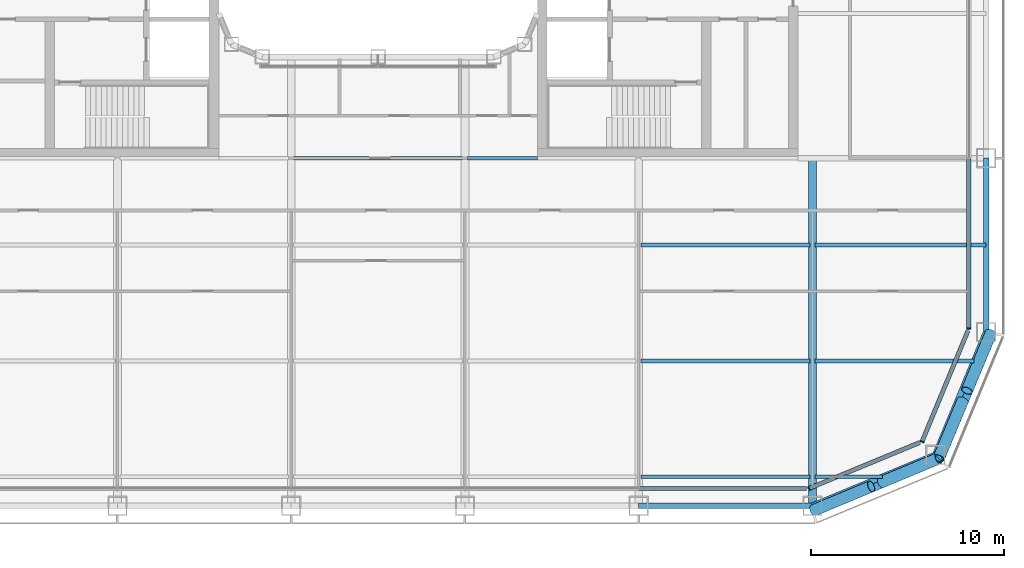
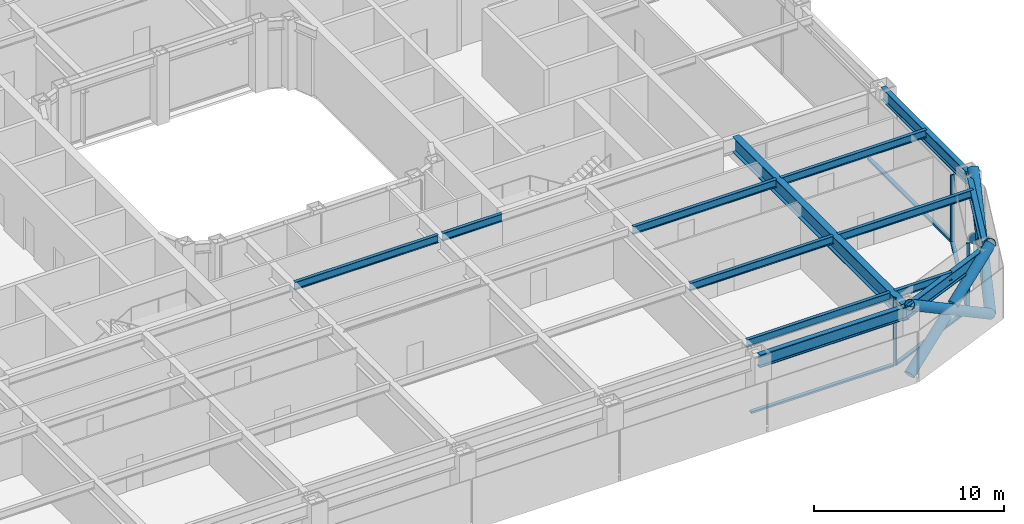
# One storey, part 4 of 24: 13 beams, 13 members, 4 elements without a shape of their own.
"""IFC4 building model written with IfcOpenShell, lengths in metres."""

from ifc_helpers import new_model, si_unit, direction, frame, origin, origin_2d, place, context, subcontext, project, spatial, rectangle, hollow_circle, i_section, extrude, material, layer, layer_set, material_profile, profile_set, type_object, element, aggregate, save


model = new_model("IFC4")

# Units and contexts
model_context = context("Model", 3, precision=1e-05, world=origin(), true_north=direction((0.0, 1.0)))
body_context = subcontext(model_context, "Body", "Model", "MODEL_VIEW")
ifc_project = project(units=[si_unit("LENGTHUNIT", "METRE"), si_unit("AREAUNIT", "SQUARE_METRE"), si_unit("VOLUMEUNIT", "CUBIC_METRE"), si_unit("PLANEANGLEUNIT", "RADIAN"), si_unit("MASSUNIT", "GRAM", prefix="KILO")], contexts=[model_context])

# Site, building, storey
site_placement = place(None, origin())
site = spatial("IfcSite", under=ifc_project, at=site_placement, CompositionType="ELEMENT")
building_placement = place(site_placement, origin())
building = spatial("IfcBuilding", under=site, at=building_placement, Name="Siwar Civic Tower", CompositionType="ELEMENT")
storey_placement = place(building_placement, frame((0.0, 0.0, 76.199951171875)))
storey = spatial("IfcBuildingStorey", under=building, at=storey_placement, Name="L16", CompositionType="ELEMENT", Elevation=76.199951171875)

# Curtain wall, member
ifc_material_1 = material(Name="Aluminium clad insulated panel", Category="aluminium")
ifc_layer_1 = layer(ifc_material_1, 0.219970703125)
ifc_layer_set_1 = layer_set([ifc_layer_1], Name="Aluminium clad insulated panel")
curtain_wall_type_1 = type_object("IfcCurtainWallType", Name="ENV-CW-AX", PredefinedType="NOTDEFINED", material=ifc_layer_set_1)
curtain_wall_1_placement = place(storey_placement, origin())
curtain_wall_1 = element("IfcCurtainWall", 1, at=curtain_wall_1_placement, inside=storey, type_object=curtain_wall_type_1, Name="Curtain wall A SE1", PredefinedType="NOTDEFINED")
ifc_material_2 = material(Name="Aluminium 6063-T6", Category="aluminium")
ifc_material_profile_1 = material_profile(ifc_material_2, rectangle(XDim=0.219970703125, YDim=0.070068359375, at=origin_2d()), Name="AL 220x70")
ifc_profile_set_1 = profile_set([ifc_material_profile_1], Name="Aluminium 6063-T6")
member_type_1 = type_object("IfcMemberType", Name="ENV-MULLION-A", PredefinedType="MULLION", material=ifc_profile_set_1)
member_1_placement = place(storey_placement, frame((22.321044921875, -30.60009765625, 0.0), z_axis=(0.0, 0.0, 1.0), x_axis=(-0.382683432365, 0.923879532511, 0.0)))
member_1 = element("IfcMember", 2, at=member_1_placement, type_object=member_type_1, Name="Mullion A SE1 1", PredefinedType="MULLION", context=body_context, shape_type="SweptSolid", body=[
    extrude(rectangle(XDim=0.219970703125, YDim=0.070068359375, at=origin_2d()), origin(), (0.0, 0.0, 1.0), 4.35009765625),
])

curtain_wall_2_placement = place(storey_placement, origin())
curtain_wall_2 = element("IfcCurtainWall", 3, at=curtain_wall_2_placement, inside=storey, type_object=curtain_wall_type_1, Name="Curtain wall A SE2", PredefinedType="NOTDEFINED")
member_2_placement = place(storey_placement, frame((28.175048828125, -28.175048828125, 0.0), z_axis=(0.0, 0.0, 1.0), x_axis=(-0.923879532511, 0.382683432365, 0.0)))
member_2 = element("IfcMember", 4, at=member_2_placement, type_object=member_type_1, Name="Mullion A SE2 1", PredefinedType="MULLION", context=body_context, shape_type="SweptSolid", body=[
    extrude(rectangle(XDim=0.219970703125, YDim=0.070068359375, at=origin_2d()), origin(), (0.0, 0.0, 1.0), 4.35009765625),
])

ifc_material_3 = material(Name="Aluminium and glass", Category="aluminium")
ifc_layer_2 = layer(ifc_material_3, 0.219970703125)
ifc_layer_set_2 = layer_set([ifc_layer_2], Name="Aluminium and glass")
curtain_wall_type_2 = type_object("IfcCurtainWallType", Name="ENV-CW-A", PredefinedType="NOTDEFINED", material=ifc_layer_set_2)
curtain_wall_3_placement = place(storey_placement, origin())
curtain_wall_3 = element("IfcCurtainWall", 5, at=curtain_wall_3_placement, inside=storey, type_object=curtain_wall_type_2, Name="Curtain wall A E", PredefinedType="NOTDEFINED")
member_3_placement = place(storey_placement, frame((30.60009765625, -22.321044921875, 0.0), z_axis=(0.0, 0.0, 1.0), x_axis=(-1.0, 0.0, 0.0)))
member_3 = element("IfcMember", 6, at=member_3_placement, type_object=member_type_1, Name="Mullion A E 1", PredefinedType="MULLION", context=body_context, shape_type="SweptSolid", body=[
    extrude(rectangle(XDim=0.219970703125, YDim=0.070068359375, at=origin_2d()), origin(), (0.0, 0.0, 1.0), 4.35009765625),
])

curtain_wall_4_placement = place(storey_placement, origin())
curtain_wall_4 = element("IfcCurtainWall", 7, at=curtain_wall_4_placement, inside=storey, type_object=curtain_wall_type_2, Name="Curtain wall A S", PredefinedType="NOTDEFINED")
ifc_material_4 = material(Name="Aluminium 6063-T6", Category="aluminium")
ifc_material_profile_2 = material_profile(ifc_material_4, rectangle(XDim=0.219970703125, YDim=0.1201171875, at=origin_2d()), Name="AL 220x120")
ifc_profile_set_2 = profile_set([ifc_material_profile_2], Name="Aluminium 6063-T6")
member_type_2 = type_object("IfcMemberType", Name="ENV-TRANSOM-A", PredefinedType="USERDEFINED", material=ifc_profile_set_2)
member_4_placement = place(storey_placement, frame((13.534912109375, -30.60009765625, 0.06005859375), z_axis=(1.0, 0.0, 0.0), x_axis=(0.0, 1.0, 0.0)))
member_4 = element("IfcMember", 8, at=member_4_placement, type_object=member_type_2, Name="Transom A S 5", ObjectType="TRANSOM", PredefinedType="USERDEFINED", context=body_context, shape_type="SweptSolid", body=[
    extrude(rectangle(XDim=0.219970703125, YDim=0.1201171875, at=origin_2d()), origin(), (0.0, 0.0, 1.0), 8.66357421875),
])
aggregate(curtain_wall_4, [member_4])

# Member
member_5_placement = place(storey_placement, frame((22.353271484375, -30.586669921875, 0.06005859375), z_axis=(0.923873326341, 0.382698415042, 0.0), x_axis=(-0.382698415042, 0.923873326341, 0.0)))
member_5 = element("IfcMember", 9, at=member_5_placement, type_object=member_type_2, Name="Transom A SE1 1", ObjectType="TRANSOM", PredefinedType="USERDEFINED", context=body_context, shape_type="SweptSolid", body=[
    extrude(rectangle(XDim=0.219970703125, YDim=0.1201171875, at=origin_2d()), origin(), (0.0, 0.0, 1.0), 6.17919921875),
])

aggregate(curtain_wall_1, [member_1, member_5])

member_6_placement = place(storey_placement, frame((28.1884765625, -28.142822265625, 0.06005859375), z_axis=(0.382698415042, 0.923873326341, 0.0), x_axis=(-0.923873326341, 0.382698415042, 0.0)))
member_6 = element("IfcMember", 10, at=member_6_placement, type_object=member_type_2, Name="Transom A SE2 1", ObjectType="TRANSOM", PredefinedType="USERDEFINED", context=body_context, shape_type="SweptSolid", body=[
    extrude(rectangle(XDim=0.219970703125, YDim=0.1201171875, at=origin_2d()), origin(), (0.0, 0.0, 1.0), 6.17919921875),
])

aggregate(curtain_wall_2, [member_2, member_6])

member_7_placement = place(storey_placement, frame((30.60009765625, -22.285888671875, 0.06005859375), z_axis=(0.0, 1.0, 0.0), x_axis=(-1.0, 0.0, 0.0)))
member_7 = element("IfcMember", 11, at=member_7_placement, type_object=member_type_2, Name="Transom A E 1", ObjectType="TRANSOM", PredefinedType="USERDEFINED", context=body_context, shape_type="SweptSolid", body=[
    extrude(rectangle(XDim=0.219970703125, YDim=0.1201171875, at=origin_2d()), origin(), (0.0, 0.0, 1.0), 8.7509765625),
])

aggregate(curtain_wall_3, [member_3, member_7])

# Members
ifc_material_5 = material(Name="Steel S355", Category="steel")
ifc_material_profile_3 = material_profile(ifc_material_5, hollow_circle(Radius=0.304931640625, WallThickness=0.030029296875, at=origin_2d()), Name="CHS610x30")
ifc_profile_set_3 = profile_set([ifc_material_profile_3], Name="Steel S355")
member_type_3 = type_object("IfcMemberType", Name="STR-BR-CHS610x30", PredefinedType="BRACE", material=ifc_profile_set_3)
member_8_placement = place(storey_placement, frame((29.040771484375, -29.040771484375, 0.0), z_axis=(0.323905527954, 0.777554562952, 0.538975055633), x_axis=(-0.923108759191, 0.384538969033, 0.0)))
element("IfcMember", 12, at=member_8_placement, inside=storey, type_object=member_type_3, Name="L16/brc/ASE1-15-0-1", PredefinedType="BRACE", context=body_context, shape_type="SweptSolid", body=[
    extrude(hollow_circle(Radius=0.304931640625, WallThickness=0.030029296875, at=origin_2d()), origin(), (0.0, 0.0, 1.0), 8.34912109375),
])
member_9_placement = place(storey_placement, frame((31.7451171875, -22.548828125, 0.0), z_axis=(-0.323882123145, -0.777533059308, 0.539020140617), x_axis=(0.923114847559, -0.384524353215, 0.0)))
element("IfcMember", 13, at=member_9_placement, inside=storey, type_object=member_type_3, Name="L16/brc/ASE1-15-0-2", PredefinedType="BRACE", context=body_context, shape_type="SweptSolid", body=[
    extrude(hollow_circle(Radius=0.304931640625, WallThickness=0.030029296875, at=origin_2d()), origin(), (0.0, 0.0, 1.0), 3.843505859375),
])
member_10_placement = place(storey_placement, frame((30.285888671875, -26.052001953125, 2.428466796875), z_axis=(-0.323934068367, -0.777568797048, 0.538937366685), x_axis=(0.923099230484, -0.384561842466, 0.0)))
element("IfcMember", 14, at=member_10_placement, inside=storey, type_object=member_type_3, Name="L16/brc/ASE1-15-0-3", PredefinedType="BRACE", context=body_context, shape_type="SweptSolid", body=[
    extrude(hollow_circle(Radius=0.304931640625, WallThickness=0.030029296875, at=origin_2d()), origin(), (0.0, 0.0, 1.0), 3.84375),
])
member_11_placement = place(storey_placement, frame((29.040771484375, -29.040771484375, 0.0), z_axis=(-0.777554562952, -0.323905527954, 0.538975055633), x_axis=(0.384538969033, -0.923108759191, 0.0)))
element("IfcMember", 15, at=member_11_placement, inside=storey, type_object=member_type_3, Name="L16/brc/ASE1-15-0-0", PredefinedType="BRACE", context=body_context, shape_type="SweptSolid", body=[
    extrude(hollow_circle(Radius=0.304931640625, WallThickness=0.030029296875, at=origin_2d()), origin(), (0.0, 0.0, 1.0), 8.34912109375),
])
member_12_placement = place(storey_placement, frame((22.548828125, -31.7451171875, 0.0), z_axis=(0.777533059308, 0.323882123145, 0.539020140617), x_axis=(-0.384524353215, 0.923114847559, 0.0)))
element("IfcMember", 16, at=member_12_placement, inside=storey, type_object=member_type_3, Name="L16/brc/ASE1-15-0-4", PredefinedType="BRACE", context=body_context, shape_type="SweptSolid", body=[
    extrude(hollow_circle(Radius=0.304931640625, WallThickness=0.030029296875, at=origin_2d()), origin(), (0.0, 0.0, 1.0), 3.843505859375),
])
member_13_placement = place(storey_placement, frame((26.052001953125, -30.285888671875, 2.428466796875), z_axis=(0.777568797048, 0.323934068367, 0.538937366685), x_axis=(-0.384561842466, 0.923099230484, 0.0)))
element("IfcMember", 17, at=member_13_placement, inside=storey, type_object=member_type_3, Name="L16/brc/ASE1-15-0-5", PredefinedType="BRACE", context=body_context, shape_type="SweptSolid", body=[
    extrude(hollow_circle(Radius=0.304931640625, WallThickness=0.030029296875, at=origin_2d()), origin(), (0.0, 0.0, 1.0), 3.84375),
])

# Beams
ifc_material_6 = material(Name="Steel S355", Category="steel")
ifc_material_profile_4 = material_profile(ifc_material_6, i_section(OverallWidth=0.199951171875, OverallDepth=0.5, WebThickness=0.01025390625, FlangeThickness=0.01611328125, FilletRadius=0.02099609375, at=origin_2d()), Name="IPE500")
ifc_profile_set_4 = profile_set([ifc_material_profile_4], Name="Steel S355")
beam_type_1 = type_object("IfcBeamType", Name="STR-FB-IPE500", PredefinedType="JOIST", material=ifc_profile_set_4)
beam_1_placement = place(storey_placement, frame((13.6298828125, -30.0, 4.10009765625), z_axis=(1.0, 0.0, 0.0), x_axis=(0.0, 1.0, 0.0)))
element("IfcBeam", 18, at=beam_1_placement, inside=storey, type_object=beam_type_1, Name="L16/bm/F006", PredefinedType="JOIST", context=body_context, shape_type="SweptSolid", body=[
    extrude(i_section(OverallWidth=0.199951171875, OverallDepth=0.5, WebThickness=0.01025390625, FlangeThickness=0.01611328125, FilletRadius=0.02099609375, at=origin_2d()), origin(), (0.0, 0.0, 1.0), 8.740234375),
])
beam_2_placement = place(storey_placement, frame((22.6298828125, -30.0, 4.10009765625), z_axis=(1.0, 0.0, 0.0), x_axis=(0.0, 1.0, 0.0)))
element("IfcBeam", 19, at=beam_2_placement, inside=storey, type_object=beam_type_1, Name="L16/bm/F007", PredefinedType="JOIST", context=body_context, shape_type="SweptSolid", body=[
    extrude(i_section(OverallWidth=0.199951171875, OverallDepth=0.5, WebThickness=0.01025390625, FlangeThickness=0.01611328125, FilletRadius=0.02099609375, at=origin_2d()), origin(), (0.0, 0.0, 1.0), 3.491455078125),
])
beam_3_placement = place(storey_placement, frame((13.6298828125, -24.0, 4.10009765625), z_axis=(1.0, 0.0, 0.0), x_axis=(0.0, 1.0, 0.0)))
element("IfcBeam", 20, at=beam_3_placement, inside=storey, type_object=beam_type_1, Name="L16/bm/F013", PredefinedType="JOIST", context=body_context, shape_type="SweptSolid", body=[
    extrude(i_section(OverallWidth=0.199951171875, OverallDepth=0.5, WebThickness=0.01025390625, FlangeThickness=0.01611328125, FilletRadius=0.02099609375, at=origin_2d()), origin(), (0.0, 0.0, 1.0), 8.740234375),
])
beam_4_placement = place(storey_placement, frame((22.6298828125, -24.0, 4.10009765625), z_axis=(1.0, 0.0, 0.0), x_axis=(0.0, 1.0, 0.0)))
element("IfcBeam", 21, at=beam_4_placement, inside=storey, type_object=beam_type_1, Name="L16/bm/F014", PredefinedType="JOIST", context=body_context, shape_type="SweptSolid", body=[
    extrude(i_section(OverallWidth=0.199951171875, OverallDepth=0.5, WebThickness=0.01025390625, FlangeThickness=0.01611328125, FilletRadius=0.02099609375, at=origin_2d()), origin(), (0.0, 0.0, 1.0), 8.248779296875),
])
beam_5_placement = place(storey_placement, frame((13.6298828125, -18.0, 4.10009765625), z_axis=(1.0, 0.0, 0.0), x_axis=(0.0, 1.0, 0.0)))
element("IfcBeam", 22, at=beam_5_placement, inside=storey, type_object=beam_type_1, Name="L16/bm/F020", PredefinedType="JOIST", context=body_context, shape_type="SweptSolid", body=[
    extrude(i_section(OverallWidth=0.199951171875, OverallDepth=0.5, WebThickness=0.01025390625, FlangeThickness=0.01611328125, FilletRadius=0.02099609375, at=origin_2d()), origin(), (0.0, 0.0, 1.0), 8.740234375),
])
beam_6_placement = place(storey_placement, frame((22.6298828125, -18.0, 4.10009765625), z_axis=(1.0, 0.0, 0.0), x_axis=(0.0, 1.0, 0.0)))
element("IfcBeam", 23, at=beam_6_placement, inside=storey, type_object=beam_type_1, Name="L16/bm/F021", PredefinedType="JOIST", context=body_context, shape_type="SweptSolid", body=[
    extrude(i_section(OverallWidth=0.199951171875, OverallDepth=0.5, WebThickness=0.01025390625, FlangeThickness=0.01611328125, FilletRadius=0.02099609375, at=origin_2d()), origin(), (0.0, 0.0, 1.0), 8.8701171875),
])
beam_7_placement = place(storey_placement, frame((-4.3701171875, -13.5, 4.10009765625), z_axis=(1.0, 0.0, 0.0), x_axis=(0.0, 1.0, 0.0)))
element("IfcBeam", 24, at=beam_7_placement, inside=storey, type_object=beam_type_1, Name="L16/bm/F026", PredefinedType="JOIST", context=body_context, shape_type="SweptSolid", body=[
    extrude(i_section(OverallWidth=0.199951171875, OverallDepth=0.5, WebThickness=0.01025390625, FlangeThickness=0.01611328125, FilletRadius=0.02099609375, at=origin_2d()), origin(), (0.0, 0.0, 1.0), 8.740234375),
])
beam_8_placement = place(storey_placement, frame((4.6298828125, -13.5, 4.10009765625), z_axis=(1.0, 0.0, 0.0), x_axis=(0.0, 1.0, 0.0)))
element("IfcBeam", 25, at=beam_8_placement, inside=storey, type_object=beam_type_1, Name="L16/bm/F027", PredefinedType="JOIST", context=body_context, shape_type="SweptSolid", body=[
    extrude(i_section(OverallWidth=0.199951171875, OverallDepth=0.5, WebThickness=0.01025390625, FlangeThickness=0.01611328125, FilletRadius=0.02099609375, at=origin_2d()), origin(), (0.0, 0.0, 1.0), 3.6201171875),
])
ifc_material_7 = material(Name="Steel S355", Category="steel")
ifc_material_profile_5 = material_profile(ifc_material_7, i_section(OverallWidth=0.39990234375, OverallDepth=1.0, WebThickness=0.01611328125, FlangeThickness=0.0400390625, at=origin_2d()), Name="PG1000x400x16x40")
ifc_profile_set_5 = profile_set([ifc_material_profile_5], Name="Steel S355")
beam_type_2 = type_object("IfcBeamType", Name="STR-PG-PG1000x400x16x40", PredefinedType="BEAM", material=ifc_profile_set_5)
beam_9_placement = place(storey_placement, frame((22.5, -31.5, 3.85009765625), z_axis=(0.0, 1.0, 0.0), x_axis=(-1.0, 0.0, 0.0)))
element("IfcBeam", 26, at=beam_9_placement, inside=storey, type_object=beam_type_2, Name="L16/bm/G11", PredefinedType="BEAM", context=body_context, shape_type="SweptSolid", body=[
    extrude(i_section(OverallWidth=0.39990234375, OverallDepth=1.0, WebThickness=0.01611328125, FlangeThickness=0.0400390625, at=origin_2d()), origin(), (0.0, 0.0, 1.0), 18.0),
])
ifc_material_8 = material(Name="Steel S355", Category="steel")
ifc_material_profile_6 = material_profile(ifc_material_8, i_section(OverallWidth=0.302978515625, OverallDepth=0.81396484375, WebThickness=0.02099609375, FlangeThickness=0.0400390625, FilletRadius=0.030029296875, at=origin_2d()), Name="HEM800")
ifc_profile_set_6 = profile_set([ifc_material_profile_6], Name="Steel S355")
beam_type_3 = type_object("IfcBeamType", Name="STR-SB-HEM800", PredefinedType="BEAM", material=ifc_profile_set_6)
beam_10_placement = place(storey_placement, frame((13.5, -31.5, 3.943115234375), z_axis=(1.0, 0.0, 0.0), x_axis=(0.0, 1.0, 0.0)))
element("IfcBeam", 27, at=beam_10_placement, inside=storey, type_object=beam_type_3, Name="L16/bm/SS-4", PredefinedType="BEAM", context=body_context, shape_type="SweptSolid", body=[
    extrude(i_section(OverallWidth=0.302978515625, OverallDepth=0.81396484375, WebThickness=0.02099609375, FlangeThickness=0.0400390625, FilletRadius=0.030029296875, at=origin_2d()), origin(), (0.0, 0.0, 1.0), 9.0),
])
for number, where, z_axis, x_axis, name in (
    (28, (22.5, -31.5, 3.943115234375), (0.923883353507, 0.382674207535, 0.0), (-0.382674207535, 0.923883353507, 0.0), "L16/bm/SSE1-0"),
    (29, (28.864013671875, -28.864013671875, 3.943115234375), (0.382674207535, 0.923883353507, 0.0), (-0.923883353507, 0.382674207535, 0.0), "L16/bm/SSE2-0"),
):
    element("IfcBeam", number, at=place(storey_placement, frame(where, z_axis=z_axis, x_axis=x_axis)), inside=storey, type_object=beam_type_3, Name=name, PredefinedType="BEAM", context=body_context, shape_type="SweptSolid", body=[
        extrude(i_section(OverallWidth=0.302978515625, OverallDepth=0.81396484375, WebThickness=0.02099609375, FlangeThickness=0.0400390625, FilletRadius=0.030029296875, at=origin_2d()), origin(), (0.0, 0.0, 1.0), 6.888427734375),
    ])
beam_11_placement = place(storey_placement, frame((31.5, -22.5, 3.943115234375), z_axis=(0.0, 1.0, 0.0), x_axis=(-1.0, 0.0, 0.0)))
element("IfcBeam", 30, at=beam_11_placement, inside=storey, type_object=beam_type_3, Name="L16/bm/SE-0", PredefinedType="BEAM", context=body_context, shape_type="SweptSolid", body=[
    extrude(i_section(OverallWidth=0.302978515625, OverallDepth=0.81396484375, WebThickness=0.02099609375, FlangeThickness=0.0400390625, FilletRadius=0.030029296875, at=origin_2d()), origin(), (0.0, 0.0, 1.0), 9.0),
])

save(model, "model.ifc")
